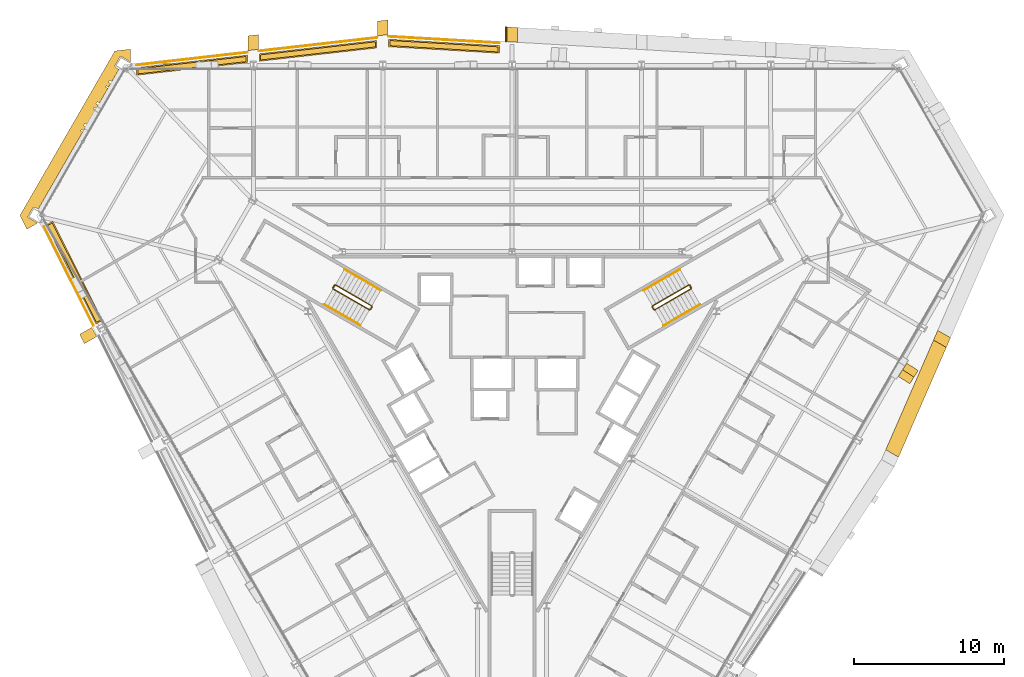
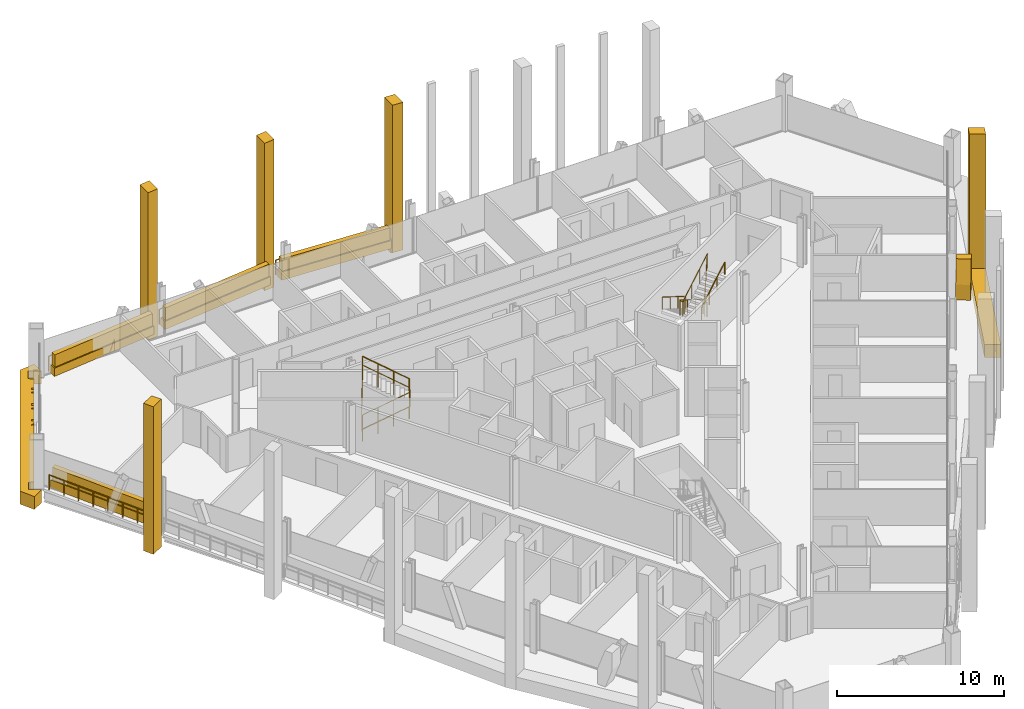
# One storey, part 18 of 19: 17 coverings, 10 railings.
"""IFC4 building model written with IfcOpenShell, lengths in metres."""

from ifc_helpers import new_model, si_unit, direction, frame, origin, origin_2d, place, context, subcontext, project, spatial, polyline, circle, outline, extrude, material, layer, layer_set, type_object, element, save


model = new_model("IFC4")

# Units and contexts
model_context = context("Model", 3, precision=1e-05, world=origin(), true_north=direction((0.0, 1.0)))
body_context = subcontext(model_context, "Body", "Model", "MODEL_VIEW")
ifc_project = project(units=[si_unit("LENGTHUNIT", "METRE"), si_unit("AREAUNIT", "SQUARE_METRE"), si_unit("VOLUMEUNIT", "CUBIC_METRE"), si_unit("PLANEANGLEUNIT", "RADIAN"), si_unit("MASSUNIT", "GRAM", prefix="KILO")], contexts=[model_context])

# Site, building, storey
site_placement = place(None, origin())
site = spatial("IfcSite", under=ifc_project, at=site_placement, CompositionType="ELEMENT")
building_placement = place(site_placement, origin())
building = spatial("IfcBuilding", under=site, at=building_placement, Name="Verrane Prism Tower", CompositionType="ELEMENT")
storey_placement = place(building_placement, frame((0.0, 0.0, 76.39990234375)))
storey = spatial("IfcBuildingStorey", under=building, at=storey_placement, Name="L17", CompositionType="ELEMENT", Elevation=76.39990234375)

# Coverings
ifc_material_1 = material(Name="Planting medium in stone kerb", Category="masonry")
covering_type_1 = type_object("IfcCoveringType", Name="Planter bed 600", PredefinedType="USERDEFINED", material=ifc_material_1)
covering_1_placement = place(storey_placement, origin())
element("IfcCovering", 1, at=covering_1_placement, inside=storey, type_object=covering_type_1, Name="Loggia planter N4 L17", ObjectType="PLANTER", PredefinedType="USERDEFINED", context=body_context, shape_type="SweptSolid", body=[
    extrude(outline(polyline([(-0.85009765625, 22.934814453125), (-8.231689453125, 23.36669921875), (-8.231689453125, 22.86669921875), (-0.85009765625, 22.434814453125), (-0.85009765625, 22.934814453125)])), origin(), (0.0, 0.0, 1.0), 0.60009765625),
])
covering_2_placement = place(storey_placement, origin())
element("IfcCovering", 2, at=covering_2_placement, inside=storey, type_object=covering_type_1, Name="Loggia planter N5 L17", ObjectType="PLANTER", PredefinedType="USERDEFINED", context=body_context, shape_type="SweptSolid", body=[
    extrude(outline(polyline([(-9.03173828125, 23.285400390625), (-16.86376953125, 22.395751953125), (-16.86376953125, 21.895751953125), (-9.03173828125, 22.785400390625), (-9.03173828125, 23.285400390625)])), origin(), (0.0, 0.0, 1.0), 0.60009765625),
])
covering_3_placement = place(storey_placement, origin())
element("IfcCovering", 3, at=covering_3_placement, inside=storey, type_object=covering_type_1, Name="Loggia planter N6 L17", ObjectType="PLANTER", PredefinedType="USERDEFINED", context=body_context, shape_type="SweptSolid", body=[
    extrude(outline(polyline([(-17.663818359375, 22.304931640625), (-25.04541015625, 21.466552734375), (-25.04541015625, 20.966552734375), (-17.663818359375, 21.804931640625), (-17.663818359375, 22.304931640625)])), origin(), (0.0, 0.0, 1.0), 0.60009765625),
])
covering_4_placement = place(storey_placement, origin())
element("IfcCovering", 4, at=covering_4_placement, inside=storey, type_object=covering_type_1, Name="Loggia planter SW1 L17", ObjectType="PLANTER", PredefinedType="USERDEFINED", context=body_context, shape_type="SweptSolid", body=[
    extrude(outline(polyline([(-31.07275390625, 10.980224609375), (-27.755859375, 4.371337890625), (-27.322998046875, 4.621337890625), (-30.639892578125, 11.230224609375), (-31.07275390625, 10.980224609375)])), origin(), (0.0, 0.0, 1.0), 0.60009765625),
])
ifc_material_2 = material(Name="Planted shrubs and grasses", Category="other")
covering_type_2 = type_object("IfcCoveringType", Name="Planting mass 1000", PredefinedType="USERDEFINED", material=ifc_material_2)
covering_5_placement = place(storey_placement, frame((0.0, 0.0, 0.60009765625)))
element("IfcCovering", 5, at=covering_5_placement, inside=storey, type_object=covering_type_2, Name="Loggia planting N4 L17", ObjectType="PLANTING", PredefinedType="USERDEFINED", context=body_context, shape_type="SweptSolid", body=[
    extrude(outline(polyline([(-8.15185546875, 23.281982421875), (-8.15185546875, 22.9423828125), (-0.929931640625, 22.519775390625), (-0.929931640625, 22.859375), (-8.15185546875, 23.281982421875)])), origin(), (0.0, 0.0, 1.0), 0.89990234375),
])
covering_6_placement = place(storey_placement, frame((0.0, 0.0, 0.60009765625)))
element("IfcCovering", 6, at=covering_6_placement, inside=storey, type_object=covering_type_2, Name="Loggia planting N5 L17", ObjectType="PLANTING", PredefinedType="USERDEFINED", context=body_context, shape_type="SweptSolid", body=[
    extrude(outline(polyline([(-16.78369140625, 22.324462890625), (-16.78369140625, 21.9853515625), (-9.11181640625, 22.856689453125), (-9.11181640625, 23.19580078125), (-16.78369140625, 22.324462890625)])), origin(), (0.0, 0.0, 1.0), 0.89990234375),
])
covering_7_placement = place(storey_placement, frame((0.0, 0.0, 0.60009765625)))
element("IfcCovering", 7, at=covering_7_placement, inside=storey, type_object=covering_type_2, Name="Loggia planting N6 L17", ObjectType="PLANTING", PredefinedType="USERDEFINED", context=body_context, shape_type="SweptSolid", body=[
    extrude(outline(polyline([(-24.965576171875, 21.39501953125), (-24.965576171875, 21.05615234375), (-17.74365234375, 21.87646484375), (-17.74365234375, 22.21533203125), (-24.965576171875, 21.39501953125)])), origin(), (0.0, 0.0, 1.0), 0.89990234375),
])
covering_8_placement = place(storey_placement, frame((0.0, 0.0, 0.60009765625)))
element("IfcCovering", 8, at=covering_8_placement, inside=storey, type_object=covering_type_2, Name="Loggia planting SW1 L17", ObjectType="PLANTING", PredefinedType="USERDEFINED", context=body_context, shape_type="SweptSolid", body=[
    extrude(outline(polyline([(-27.722412109375, 4.483154296875), (-27.42822265625, 4.653076171875), (-30.67333984375, 11.118408203125), (-30.967529296875, 10.948486328125), (-27.722412109375, 4.483154296875)])), origin(), (0.0, 0.0, 1.0), 0.89990234375),
])

# Railings
ifc_material_3 = material(Name="Steel A36 rail and posts, no infill", Category="steel")
railing_type_1 = type_object("IfcRailingType", Name="Stair guard 1100 steel rail and posts", PredefinedType="GUARDRAIL", material=ifc_material_3)
railing_1_placement = place(storey_placement, frame((11.78955078125, 6.97998046875, 0.163818359375)))
element("IfcRailing", 9, at=railing_1_placement, inside=storey, type_object=railing_type_1, Name="Stair 1 guard", PredefinedType="GUARDRAIL", context=body_context, shape_type="SweptSolid", body=[
    extrude(circle(Radius=0.02392578125, at=origin_2d()), frame((0.0, 0.0, 1.076171875), z_axis=(-0.747693913401, -0.431738279637, 0.504535300807), x_axis=(0.500049511043, -0.865996816683, 0.0)), (0.0, 0.0, 1.0), 3.2431640625),
    extrude(circle(Radius=0.02392578125, at=origin_2d()), frame((-2.4248046875, -1.400146484375, 2.71240234375), z_axis=(-0.259601060869, -0.965715946433, 0.0), x_axis=(0.965715946433, -0.259601060869, 0.0)), (0.0, 0.0, 1.0), 0.070556640625),
    extrude(circle(Radius=0.02392578125, at=origin_2d()), frame((-2.443115234375, -1.46826171875, 2.71240234375), z_axis=(0.499158860599, -0.866510491504, 0.0), x_axis=(0.866510491504, 0.499158860599, 0.0)), (0.0, 0.0, 1.0), 0.199951171875),
    extrude(circle(Radius=0.02392578125, at=origin_2d()), frame((-2.34326171875, -1.6416015625, 2.71240234375), z_axis=(0.383552647116, -0.102737316192, 0.917786691313), x_axis=(0.258736085224, 0.965948051503, 0.0)), (0.0, 0.0, 1.0), 0.17822265625),
    extrude(circle(Radius=0.02392578125, at=origin_2d()), frame((-2.27490234375, -1.659912109375, 2.8759765625), z_axis=(0.747665513933, 0.431721881032, 0.504591415616), x_axis=(-0.500049511043, 0.865996816683, 0.0)), (0.0, 0.0, 1.0), 3.2431640625),
    extrude(circle(Radius=0.02392578125, at=origin_2d()), frame((0.14990234375, -0.259765625, 4.51220703125), z_axis=(-0.022593669287, 0.066901613547, -0.997503734436), x_axis=(-0.947430582667, -0.3199613899, 0.0)), (0.0, 0.0, 1.0), 3.609130859375),
    extrude(circle(Radius=0.02392578125, at=origin_2d()), frame((0.068359375, -0.018310546875, 0.912109375), z_axis=(0.499158860599, -0.866510491504, 0.0), x_axis=(0.866510491504, 0.499158860599, 0.0)), (0.0, 0.0, 1.0), 0.199951171875),
    extrude(circle(Radius=0.02099609375, at=origin_2d()), origin(), (0.0, 0.0, 1.0), 1.052001953125),
    extrude(circle(Radius=0.02099609375, at=origin_2d()), frame((-0.808349609375, -0.466796875, 0.54541015625)), (0.0, 0.0, 1.0), 1.052001953125),
    extrude(circle(Radius=0.02099609375, at=origin_2d()), frame((-1.616455078125, -0.933349609375, 1.0908203125)), (0.0, 0.0, 1.0), 1.052001953125),
    extrude(circle(Radius=0.02099609375, at=origin_2d()), frame((-2.4248046875, -1.400146484375, 1.63623046875)), (0.0, 0.0, 1.0), 1.052001953125),
    extrude(circle(Radius=0.02099609375, at=origin_2d()), frame((-2.443115234375, -1.46826171875, 1.63623046875)), (0.0, 0.0, 1.0), 1.052001953125),
    extrude(circle(Radius=0.02099609375, at=origin_2d()), frame((-2.34326171875, -1.6416015625, 1.63623046875)), (0.0, 0.0, 1.0), 1.052001953125),
    extrude(circle(Radius=0.02099609375, at=origin_2d()), frame((-2.27490234375, -1.659912109375, 1.7998046875)), (0.0, 0.0, 1.0), 1.052001953125),
    extrude(circle(Radius=0.02099609375, at=origin_2d()), frame((-1.466552734375, -1.193115234375, 2.34521484375)), (0.0, 0.0, 1.0), 1.052001953125),
    extrude(circle(Radius=0.02099609375, at=origin_2d()), frame((-0.658447265625, -0.7265625, 2.890869140625)), (0.0, 0.0, 1.0), 1.052001953125),
    extrude(circle(Radius=0.02099609375, at=origin_2d()), frame((0.14990234375, -0.259765625, 3.436279296875)), (0.0, 0.0, 1.0), 1.052001953125),
    extrude(circle(Radius=0.02099609375, at=origin_2d()), frame((0.12939453125, -0.199462890625, 2.5361328125)), (0.0, 0.0, 1.0), 1.052001953125),
    extrude(circle(Radius=0.02099609375, at=origin_2d()), frame((0.109130859375, -0.13916015625, 1.63623046875)), (0.0, 0.0, 1.0), 1.052001953125),
    extrude(circle(Radius=0.02099609375, at=origin_2d()), frame((0.0888671875, -0.07861328125, 0.736328125)), (0.0, 0.0, 1.0), 1.052001953125),
    extrude(circle(Radius=0.02099609375, at=origin_2d()), frame((0.068359375, -0.018310546875, -0.163818359375)), (0.0, 0.0, 1.0), 1.052001953125),
    extrude(circle(Radius=0.02099609375, at=origin_2d()), frame((0.168212890625, -0.191650390625, -0.163818359375)), (0.0, 0.0, 1.0), 1.052001953125),
])
railing_2_placement = place(storey_placement, frame((-11.939453125, 6.72021484375, 0.163818359375)))
element("IfcRailing", 10, at=railing_2_placement, inside=storey, type_object=railing_type_1, Name="Stair 2 guard", PredefinedType="GUARDRAIL", context=body_context, shape_type="SweptSolid", body=[
    extrude(circle(Radius=0.02392578125, at=origin_2d()), frame((0.0, 0.0, 1.076171875), z_axis=(0.747693913401, -0.431738279637, 0.504535300807), x_axis=(0.500049511043, 0.865996816683, 0.0)), (0.0, 0.0, 1.0), 3.2431640625),
    extrude(circle(Radius=0.02392578125, at=origin_2d()), frame((2.4248046875, -1.400146484375, 2.71240234375), z_axis=(0.965948051503, 0.258736085224, 0.0), x_axis=(-0.258736085224, 0.965948051503, 0.0)), (0.0, 0.0, 1.0), 0.07080078125),
    extrude(circle(Radius=0.02392578125, at=origin_2d()), frame((2.4931640625, -1.3818359375, 2.71240234375), z_axis=(0.499158860599, 0.866510491504, 0.0), x_axis=(-0.866510491504, 0.499158860599, 0.0)), (0.0, 0.0, 1.0), 0.199951171875),
    extrude(circle(Radius=0.02392578125, at=origin_2d()), frame((2.593017578125, -1.20849609375, 2.71240234375), z_axis=(-0.102791240646, 0.382383415203, 0.918268416436), x_axis=(-0.965715946433, -0.259601060869, 0.0)), (0.0, 0.0, 1.0), 0.17822265625),
    extrude(circle(Radius=0.02392578125, at=origin_2d()), frame((2.57470703125, -1.140380859375, 2.8759765625), z_axis=(-0.747665513933, 0.431721881032, 0.504591415616), x_axis=(-0.500049511043, -0.865996816683, 0.0)), (0.0, 0.0, 1.0), 3.2431640625),
    extrude(circle(Radius=0.02392578125, at=origin_2d()), frame((0.14990234375, 0.259765625, 4.51220703125), z_axis=(-0.046607763296, -0.053101733218, -0.99750083826), x_axis=(0.751567565678, -0.659656118156, 0.0)), (0.0, 0.0, 1.0), 3.609130859375),
    extrude(circle(Radius=0.02392578125, at=origin_2d()), frame((-0.018310546875, 0.068115234375, 0.912109375), z_axis=(0.499158860599, 0.866510491504, 0.0), x_axis=(-0.866510491504, 0.499158860599, 0.0)), (0.0, 0.0, 1.0), 0.199951171875),
    extrude(circle(Radius=0.02099609375, at=origin_2d()), origin(), (0.0, 0.0, 1.0), 1.052001953125),
    extrude(circle(Radius=0.02099609375, at=origin_2d()), frame((0.808349609375, -0.466796875, 0.54541015625)), (0.0, 0.0, 1.0), 1.052001953125),
    extrude(circle(Radius=0.02099609375, at=origin_2d()), frame((1.616455078125, -0.933349609375, 1.0908203125)), (0.0, 0.0, 1.0), 1.052001953125),
    extrude(circle(Radius=0.02099609375, at=origin_2d()), frame((2.4248046875, -1.400146484375, 1.63623046875)), (0.0, 0.0, 1.0), 1.052001953125),
    extrude(circle(Radius=0.02099609375, at=origin_2d()), frame((2.4931640625, -1.3818359375, 1.63623046875)), (0.0, 0.0, 1.0), 1.052001953125),
    extrude(circle(Radius=0.02099609375, at=origin_2d()), frame((2.593017578125, -1.20849609375, 1.63623046875)), (0.0, 0.0, 1.0), 1.052001953125),
    extrude(circle(Radius=0.02099609375, at=origin_2d()), frame((2.57470703125, -1.140380859375, 1.7998046875)), (0.0, 0.0, 1.0), 1.052001953125),
    extrude(circle(Radius=0.02099609375, at=origin_2d()), frame((1.766357421875, -0.673583984375, 2.34521484375)), (0.0, 0.0, 1.0), 1.052001953125),
    extrude(circle(Radius=0.02099609375, at=origin_2d()), frame((0.958251953125, -0.20703125, 2.890869140625)), (0.0, 0.0, 1.0), 1.052001953125),
    extrude(circle(Radius=0.02099609375, at=origin_2d()), frame((0.14990234375, 0.259765625, 3.436279296875)), (0.0, 0.0, 1.0), 1.052001953125),
    extrude(circle(Radius=0.02099609375, at=origin_2d()), frame((0.10791015625, 0.2119140625, 2.5361328125)), (0.0, 0.0, 1.0), 1.052001953125),
    extrude(circle(Radius=0.02099609375, at=origin_2d()), frame((0.06591796875, 0.1640625, 1.63623046875)), (0.0, 0.0, 1.0), 1.052001953125),
    extrude(circle(Radius=0.02099609375, at=origin_2d()), frame((0.023681640625, 0.115966796875, 0.736328125)), (0.0, 0.0, 1.0), 1.052001953125),
    extrude(circle(Radius=0.02099609375, at=origin_2d()), frame((-0.018310546875, 0.068115234375, -0.163818359375)), (0.0, 0.0, 1.0), 1.052001953125),
    extrude(circle(Radius=0.02099609375, at=origin_2d()), frame((0.08154296875, 0.241455078125, -0.163818359375)), (0.0, 0.0, 1.0), 1.052001953125),
])
ifc_material_4 = material(Name="Steel A36 tube", Category="steel")
railing_type_2 = type_object("IfcRailingType", Name="Stair handrail 900 steel tube", PredefinedType="HANDRAIL", material=ifc_material_4)
railing_3_placement = place(storey_placement, frame((11.189453125, 8.01904296875, 0.163818359375)))
element("IfcRailing", 11, at=railing_3_placement, inside=storey, type_object=railing_type_2, Name="Stair 1 handrail", PredefinedType="HANDRAIL", context=body_context, shape_type="SweptSolid", body=[
    extrude(circle(Radius=0.02392578125, at=origin_2d()), frame((0.0, 0.0, 0.8759765625), z_axis=(-0.74771821388, -0.431677027627, 0.504551698492), x_axis=(0.49998411664, -0.866034573852, 0.0)), (0.0, 0.0, 1.0), 3.242919921875),
    extrude(circle(Radius=0.02099609375, at=origin_2d()), origin(), (0.0, 0.0, 1.0), 0.851806640625),
    extrude(circle(Radius=0.02099609375, at=origin_2d()), frame((-0.808349609375, -0.466552734375, 0.54541015625)), (0.0, 0.0, 1.0), 0.851806640625),
    extrude(circle(Radius=0.02099609375, at=origin_2d()), frame((-1.616455078125, -0.933349609375, 1.0908203125)), (0.0, 0.0, 1.0), 0.851806640625),
    extrude(circle(Radius=0.02099609375, at=origin_2d()), frame((-2.4248046875, -1.39990234375, 1.63623046875)), (0.0, 0.0, 1.0), 0.851806640625),
])
railing_4_placement = place(storey_placement, frame((10.11474609375, 4.28076171875, 1.963623046875)))
element("IfcRailing", 12, at=railing_4_placement, inside=storey, type_object=railing_type_2, Name="Stair 1 handrail", PredefinedType="HANDRAIL", context=body_context, shape_type="SweptSolid", body=[
    extrude(circle(Radius=0.02392578125, at=origin_2d()), frame((0.0, 0.0, 0.8759765625), z_axis=(0.747665513933, 0.431721881032, 0.504591415616), x_axis=(-0.500049511043, 0.865996816683, 0.0)), (0.0, 0.0, 1.0), 3.2431640625),
    extrude(circle(Radius=0.02099609375, at=origin_2d()), origin(), (0.0, 0.0, 1.0), 0.851806640625),
    extrude(circle(Radius=0.02099609375, at=origin_2d()), frame((0.808349609375, 0.466796875, 0.54541015625)), (0.0, 0.0, 1.0), 0.851806640625),
    extrude(circle(Radius=0.02099609375, at=origin_2d()), frame((1.616455078125, 0.933349609375, 1.091064453125)), (0.0, 0.0, 1.0), 0.851806640625),
    extrude(circle(Radius=0.02099609375, at=origin_2d()), frame((2.4248046875, 1.400146484375, 1.636474609375)), (0.0, 0.0, 1.0), 0.851806640625),
])
railing_5_placement = place(storey_placement, frame((-12.53955078125, 5.680908203125, 0.163818359375)))
element("IfcRailing", 13, at=railing_5_placement, inside=storey, type_object=railing_type_2, Name="Stair 2 handrail", PredefinedType="HANDRAIL", context=body_context, shape_type="SweptSolid", body=[
    extrude(circle(Radius=0.02392578125, at=origin_2d()), frame((0.0, 0.0, 0.8759765625), z_axis=(0.747693913401, -0.431738279637, 0.504535300807), x_axis=(0.500049511043, 0.865996816683, 0.0)), (0.0, 0.0, 1.0), 3.2431640625),
    extrude(circle(Radius=0.02099609375, at=origin_2d()), origin(), (0.0, 0.0, 1.0), 0.851806640625),
    extrude(circle(Radius=0.02099609375, at=origin_2d()), frame((0.808349609375, -0.466796875, 0.54541015625)), (0.0, 0.0, 1.0), 0.851806640625),
    extrude(circle(Radius=0.02099609375, at=origin_2d()), frame((1.616455078125, -0.933349609375, 1.0908203125)), (0.0, 0.0, 1.0), 0.851806640625),
    extrude(circle(Radius=0.02099609375, at=origin_2d()), frame((2.4248046875, -1.400146484375, 1.63623046875)), (0.0, 0.0, 1.0), 0.851806640625),
])
railing_6_placement = place(storey_placement, frame((-8.7646484375, 6.619140625, 1.963623046875)))
element("IfcRailing", 14, at=railing_6_placement, inside=storey, type_object=railing_type_2, Name="Stair 2 handrail", PredefinedType="HANDRAIL", context=body_context, shape_type="SweptSolid", body=[
    extrude(circle(Radius=0.02392578125, at=origin_2d()), frame((0.0, 0.0, 0.8759765625), z_axis=(-0.747689811644, 0.431660630283, 0.504607813879), x_axis=(-0.49998411664, -0.866034573852, 0.0)), (0.0, 0.0, 1.0), 3.2431640625),
    extrude(circle(Radius=0.02099609375, at=origin_2d()), origin(), (0.0, 0.0, 1.0), 0.851806640625),
    extrude(circle(Radius=0.02099609375, at=origin_2d()), frame((-0.808349609375, 0.466552734375, 0.54541015625)), (0.0, 0.0, 1.0), 0.851806640625),
    extrude(circle(Radius=0.02099609375, at=origin_2d()), frame((-1.616455078125, 0.933349609375, 1.091064453125)), (0.0, 0.0, 1.0), 0.851806640625),
    extrude(circle(Radius=0.02099609375, at=origin_2d()), frame((-2.4248046875, 1.39990234375, 1.636474609375)), (0.0, 0.0, 1.0), 0.851806640625),
])

# Coverings
ifc_material_5 = material(Name="Warm limestone cladding", Category="masonry")
ifc_layer_1 = layer(ifc_material_5, 0.89990234375)
ifc_layer_set_1 = layer_set([ifc_layer_1], Name="Stone brace fin 900")
covering_type_3 = type_object("IfcCoveringType", Name="Stone brace fin 900", PredefinedType="CLADDING", material=ifc_layer_set_1)
covering_9_placement = place(storey_placement, frame((26.1396484375, 0.6337890625, 0.0), z_axis=(0.0, 0.0, 1.0), x_axis=(0.541807668127, 0.840502498961, 0.0)))
element("IfcCovering", 15, at=covering_9_placement, inside=storey, type_object=covering_type_3, Name="Stone brace fin SE5 L17", PredefinedType="CLADDING", context=body_context, shape_type="SweptSolid", body=[
    extrude(outline(polyline([(1.04541015625, 2.650146484375), (0.52880859375, 2.650146484375), (0.0, 1.12841796875), (0.0, 0.0), (0.560791015625, 0.0), (1.04541015625, 1.394775390625), (1.04541015625, 2.650146484375)])), frame((0.0, 0.449951171875, 0.0), z_axis=(0.0, -1.0, 0.0), x_axis=(1.0, 0.0, 0.0)), (0.0, 0.0, 1.0), 0.89990234375),
])
ifc_material_6 = material(Name="Warm limestone cladding", Category="masonry")
covering_type_4 = type_object("IfcCoveringType", Name="Stone pier 700", PredefinedType="CLADDING", material=ifc_material_6)
covering_10_placement = place(storey_placement, frame((0.0, 0.0, -0.949951171875)))
element("IfcCovering", 16, at=covering_10_placement, inside=storey, type_object=covering_type_4, Name="Stone pier PC-N3 L17-L19", PredefinedType="CLADDING", context=body_context, shape_type="SweptSolid", body=[
    extrude(outline(polyline([(-0.35009765625, 24.185302734375), (-0.35009765625, 23.20556640625), (0.35009765625, 23.164794921875), (0.35009765625, 24.144287109375), (-0.35009765625, 24.185302734375)])), origin(), (0.0, 0.0, 1.0), 10.800048828125),
])
covering_11_placement = place(storey_placement, frame((0.0, 0.0, -0.949951171875)))
element("IfcCovering", 17, at=covering_11_placement, inside=storey, type_object=covering_type_4, Name="Stone pier PC-N4 L17-L19", PredefinedType="CLADDING", context=body_context, shape_type="SweptSolid", body=[
    extrude(outline(polyline([(-8.981689453125, 24.575439453125), (-8.981689453125, 23.591064453125), (-8.28662109375, 23.669921875), (-8.28173828125, 23.669677734375), (-8.28173828125, 24.6494140625), (-8.3134765625, 24.6513671875), (-8.981689453125, 24.575439453125)])), origin(), (0.0, 0.0, 1.0), 10.800048828125),
])
covering_12_placement = place(storey_placement, frame((0.0, 0.0, -0.949951171875)))
element("IfcCovering", 18, at=covering_12_placement, inside=storey, type_object=covering_type_4, Name="Stone pier PC-N5 L17-L19", PredefinedType="CLADDING", context=body_context, shape_type="SweptSolid", body=[
    extrude(outline(polyline([(-17.61376953125, 23.594970703125), (-17.61376953125, 22.610595703125), (-16.913818359375, 22.690185546875), (-16.913818359375, 23.674560546875), (-17.61376953125, 23.594970703125)])), origin(), (0.0, 0.0, 1.0), 10.800048828125),
])
covering_13_placement = place(storey_placement, frame((0.0, 0.0, -0.949951171875)))
element("IfcCovering", 19, at=covering_13_placement, inside=storey, type_object=covering_type_4, Name="Stone pier PC-SW1 L17-L19", PredefinedType="CLADDING", context=body_context, shape_type="SweptSolid", body=[
    extrude(outline(polyline([(-27.697265625, 3.539306640625), (-27.779052734375, 3.680908203125), (-28.04736328125, 4.1455078125), (-28.841796875, 3.686767578125), (-28.527099609375, 3.06005859375), (-27.697265625, 3.539306640625)])), origin(), (0.0, 0.0, 1.0), 10.800048828125),
])
covering_14_placement = place(storey_placement, frame((0.0, 0.0, -0.949951171875)))
element("IfcCovering", 20, at=covering_14_placement, inside=storey, type_object=covering_type_4, Name="Stone pier PC-SE5 L17-L19", PredefinedType="CLADDING", context=body_context, shape_type="SweptSolid", body=[
    extrude(outline(polyline([(29.24072265625, 3.456298828125), (28.38818359375, 3.948486328125), (28.107177734375, 3.302490234375), (28.959716796875, 2.810302734375), (29.24072265625, 3.456298828125)])), origin(), (0.0, 0.0, 1.0), 10.800048828125),
])
ifc_material_7 = material(Name="Warm limestone cladding", Category="masonry")
ifc_layer_2 = layer(ifc_material_7, 0.449951171875)
ifc_layer_set_2 = layer_set([ifc_layer_2], Name="Stone spandrel band 450")
covering_type_5 = type_object("IfcCoveringType", Name="Stone spandrel band 450", PredefinedType="CLADDING", material=ifc_layer_set_2)
covering_15_placement = place(storey_placement, frame((0.0, 0.0, -0.949951171875)))
element("IfcCovering", 21, at=covering_15_placement, inside=storey, type_object=covering_type_5, Name="Stone spandrel band L17 part 3", PredefinedType="CLADDING", context=body_context, shape_type="SweptSolid", body=[
    extrude(outline(polyline([(-32.36083984375, 10.698486328125), (-31.643310546875, 11.11279296875), (-32.315673828125, 11.5009765625), (-31.935791015625, 12.1591796875), (-31.916748046875, 12.148193359375), (-31.822265625, 12.148193359375), (-31.61572265625, 12.02880859375), (-28.63720703125, 17.187744140625), (-28.773193359375, 17.230712890625), (-28.743896484375, 17.322998046875), (-28.587646484375, 17.273681640625), (-28.436279296875, 17.535888671875), (-28.5810546875, 17.619140625), (-28.50146484375, 17.75732421875), (-28.356689453125, 17.673828125), (-27.791015625, 18.6533203125), (-27.936767578125, 18.7373046875), (-27.888671875, 18.8203125), (-27.7431640625, 18.736572265625), (-27.605224609375, 18.97509765625), (-27.751220703125, 19.05908203125), (-27.67138671875, 19.197265625), (-27.525634765625, 19.11328125), (-26.960205078125, 20.0927734375), (-27.106689453125, 20.17724609375), (-27.05859375, 20.260498046875), (-26.912109375, 20.17578125), (-26.776123046875, 20.411376953125), (-26.9228515625, 20.49609375), (-26.845458984375, 20.63037109375), (-26.698486328125, 20.545654296875), (-26.2255859375, 21.36474609375), (-26.436279296875, 21.486572265625), (-26.486328125, 21.56982421875), (-26.505615234375, 21.580810546875), (-26.125732421875, 22.239013671875), (-25.445556640625, 21.846435546875), (-25.445556640625, 22.70556640625), (-26.495849609375, 22.586181640625), (-32.8251953125, 11.623779296875), (-32.36083984375, 10.698486328125)])), origin(), (0.0, 0.0, 1.0), 0.949951171875),
])
covering_16_placement = place(storey_placement, frame((0.0, 0.0, -0.949951171875)))
element("IfcCovering", 22, at=covering_16_placement, inside=storey, type_object=covering_type_5, Name="Stone spandrel band L17 part 7", PredefinedType="CLADDING", context=body_context, shape_type="SweptSolid", body=[
    extrude(outline(polyline([(25.77392578125, -4.50927734375), (28.959716796875, 2.810302734375), (28.107177734375, 3.302490234375), (24.92138671875, -4.01708984375), (25.77392578125, -4.50927734375)])), origin(), (0.0, 0.0, 1.0), 0.949951171875),
])
covering_17_placement = place(storey_placement, frame((0.0, 0.0, -0.949951171875)))
element("IfcCovering", 23, at=covering_17_placement, inside=storey, type_object=covering_type_5, Name="Stone spandrel band L17 part 11", PredefinedType="CLADDING", context=body_context, shape_type="SweptSolid", body=[
    extrude(outline(polyline([(-0.35009765625, 24.185302734375), (-0.449951171875, 24.19140625), (-0.449951171875, 23.21142578125), (-0.35009765625, 23.20556640625), (-0.35009765625, 24.185302734375)])), origin(), (0.0, 0.0, 1.0), 0.949951171875),
])

# Railings
ifc_material_8 = material(Name="Stainless steel and laminated glass", Category="steel")
railing_type_3 = type_object("IfcRailingType", Name="Terrace guard 1100", PredefinedType="GUARDRAIL", material=ifc_material_8)
railing_7_placement = place(storey_placement, frame((-0.85009765625, 23.114990234375, 0.0)))
element("IfcRailing", 24, at=railing_7_placement, inside=storey, type_object=railing_type_3, Name="Loggia guard N4 L17", PredefinedType="GUARDRAIL", context=body_context, shape_type="SweptSolid", body=[
    extrude(circle(Radius=0.02392578125, at=origin_2d()), frame((0.0, 0.0, 1.076171875), z_axis=(-0.99829276835, 0.05840846394, 0.0), x_axis=(-0.05840846394, -0.99829276835, 0.0)), (0.0, 0.0, 1.0), 7.394287109375),
    extrude(circle(Radius=0.02099609375, at=origin_2d()), origin(), (0.0, 0.0, 1.0), 1.052001953125),
    extrude(circle(Radius=0.02099609375, at=origin_2d()), frame((-1.054443359375, 0.061767578125, 0.0)), (0.0, 0.0, 1.0), 1.052001953125),
    extrude(circle(Radius=0.02099609375, at=origin_2d()), frame((-2.109130859375, 0.123291015625, 0.0)), (0.0, 0.0, 1.0), 1.052001953125),
    extrude(circle(Radius=0.02099609375, at=origin_2d()), frame((-3.16357421875, 0.18505859375, 0.0)), (0.0, 0.0, 1.0), 1.052001953125),
    extrude(circle(Radius=0.02099609375, at=origin_2d()), frame((-4.218017578125, 0.246826171875, 0.0)), (0.0, 0.0, 1.0), 1.052001953125),
    extrude(circle(Radius=0.02099609375, at=origin_2d()), frame((-5.2724609375, 0.30859375, 0.0)), (0.0, 0.0, 1.0), 1.052001953125),
    extrude(circle(Radius=0.02099609375, at=origin_2d()), frame((-6.3271484375, 0.3701171875, 0.0)), (0.0, 0.0, 1.0), 1.052001953125),
    extrude(circle(Radius=0.02099609375, at=origin_2d()), frame((-7.381591796875, 0.431884765625, 0.0)), (0.0, 0.0, 1.0), 1.052001953125),
])
railing_8_placement = place(storey_placement, frame((-9.03173828125, 23.46533203125, 0.0)))
element("IfcRailing", 25, at=railing_8_placement, inside=storey, type_object=railing_type_3, Name="Loggia guard N5 L17", PredefinedType="GUARDRAIL", context=body_context, shape_type="SweptSolid", body=[
    extrude(circle(Radius=0.02392578125, at=origin_2d()), frame((0.0, 0.0, 1.076171875), z_axis=(-0.993610308014, -0.112865210798, 0.0), x_axis=(0.112865210798, -0.993610308014, 0.0)), (0.0, 0.0, 1.0), 7.88232421875),
    extrude(circle(Radius=0.02099609375, at=origin_2d()), origin(), (0.0, 0.0, 1.0), 1.052001953125),
    extrude(circle(Radius=0.02099609375, at=origin_2d()), frame((-1.118896484375, -0.127197265625, 0.0)), (0.0, 0.0, 1.0), 1.052001953125),
    extrude(circle(Radius=0.02099609375, at=origin_2d()), frame((-2.23779296875, -0.254150390625, 0.0)), (0.0, 0.0, 1.0), 1.052001953125),
    extrude(circle(Radius=0.02099609375, at=origin_2d()), frame((-3.356689453125, -0.38134765625, 0.0)), (0.0, 0.0, 1.0), 1.052001953125),
    extrude(circle(Radius=0.02099609375, at=origin_2d()), frame((-4.475341796875, -0.50830078125, 0.0)), (0.0, 0.0, 1.0), 1.052001953125),
    extrude(circle(Radius=0.02099609375, at=origin_2d()), frame((-5.59423828125, -0.635498046875, 0.0)), (0.0, 0.0, 1.0), 1.052001953125),
    extrude(circle(Radius=0.02099609375, at=origin_2d()), frame((-6.713134765625, -0.762451171875, 0.0)), (0.0, 0.0, 1.0), 1.052001953125),
    extrude(circle(Radius=0.02099609375, at=origin_2d()), frame((-7.83203125, -0.8896484375, 0.0)), (0.0, 0.0, 1.0), 1.052001953125),
])
railing_9_placement = place(storey_placement, frame((-17.663818359375, 22.485107421875, 0.0)))
element("IfcRailing", 26, at=railing_9_placement, inside=storey, type_object=railing_type_3, Name="Loggia guard N6 L17", PredefinedType="GUARDRAIL", context=body_context, shape_type="SweptSolid", body=[
    extrude(circle(Radius=0.02392578125, at=origin_2d()), frame((0.0, 0.0, 1.076171875), z_axis=(-0.993608187141, -0.112883880365, 0.0), x_axis=(0.112883880365, -0.993608187141, 0.0)), (0.0, 0.0, 1.0), 7.428955078125),
    extrude(circle(Radius=0.02099609375, at=origin_2d()), origin(), (0.0, 0.0, 1.0), 1.052001953125),
    extrude(circle(Radius=0.02099609375, at=origin_2d()), frame((-1.054443359375, -0.119873046875, 0.0)), (0.0, 0.0, 1.0), 1.052001953125),
    extrude(circle(Radius=0.02099609375, at=origin_2d()), frame((-2.109130859375, -0.239501953125, 0.0)), (0.0, 0.0, 1.0), 1.052001953125),
    extrude(circle(Radius=0.02099609375, at=origin_2d()), frame((-3.16357421875, -0.359375, 0.0)), (0.0, 0.0, 1.0), 1.052001953125),
    extrude(circle(Radius=0.02099609375, at=origin_2d()), frame((-4.218017578125, -0.479248046875, 0.0)), (0.0, 0.0, 1.0), 1.052001953125),
    extrude(circle(Radius=0.02099609375, at=origin_2d()), frame((-5.2724609375, -0.59912109375, 0.0)), (0.0, 0.0, 1.0), 1.052001953125),
    extrude(circle(Radius=0.02099609375, at=origin_2d()), frame((-6.3271484375, -0.71875, 0.0)), (0.0, 0.0, 1.0), 1.052001953125),
    extrude(circle(Radius=0.02099609375, at=origin_2d()), frame((-7.381591796875, -0.838623046875, 0.0)), (0.0, 0.0, 1.0), 1.052001953125),
])
railing_10_placement = place(storey_placement, frame((-31.228515625, 10.89013671875, 0.0)))
element("IfcRailing", 27, at=railing_10_placement, inside=storey, type_object=railing_type_3, Name="Loggia guard SW1 L17", PredefinedType="GUARDRAIL", context=body_context, shape_type="SweptSolid", body=[
    extrude(circle(Radius=0.02392578125, at=origin_2d()), frame((0.0, 0.0, 1.076171875), z_axis=(0.448547017888, -0.893759236452, 0.0), x_axis=(0.893759236452, 0.448547017888, 0.0)), (0.0, 0.0, 1.0), 7.394287109375),
    extrude(circle(Radius=0.02099609375, at=origin_2d()), origin(), (0.0, 0.0, 1.0), 1.052001953125),
    extrude(circle(Radius=0.02099609375, at=origin_2d()), frame((0.473876953125, -0.944091796875, 0.0)), (0.0, 0.0, 1.0), 1.052001953125),
    extrude(circle(Radius=0.02099609375, at=origin_2d()), frame((0.947509765625, -1.88818359375, 0.0)), (0.0, 0.0, 1.0), 1.052001953125),
    extrude(circle(Radius=0.02099609375, at=origin_2d()), frame((1.42138671875, -2.832275390625, 0.0)), (0.0, 0.0, 1.0), 1.052001953125),
    extrude(circle(Radius=0.02099609375, at=origin_2d()), frame((1.895263671875, -3.7763671875, 0.0)), (0.0, 0.0, 1.0), 1.052001953125),
    extrude(circle(Radius=0.02099609375, at=origin_2d()), frame((2.369140625, -4.720458984375, 0.0)), (0.0, 0.0, 1.0), 1.052001953125),
    extrude(circle(Radius=0.02099609375, at=origin_2d()), frame((2.8427734375, -5.66455078125, 0.0)), (0.0, 0.0, 1.0), 1.052001953125),
    extrude(circle(Radius=0.02099609375, at=origin_2d()), frame((3.316650390625, -6.608642578125, 0.0)), (0.0, 0.0, 1.0), 1.052001953125),
])

save(model, "model.ifc")
